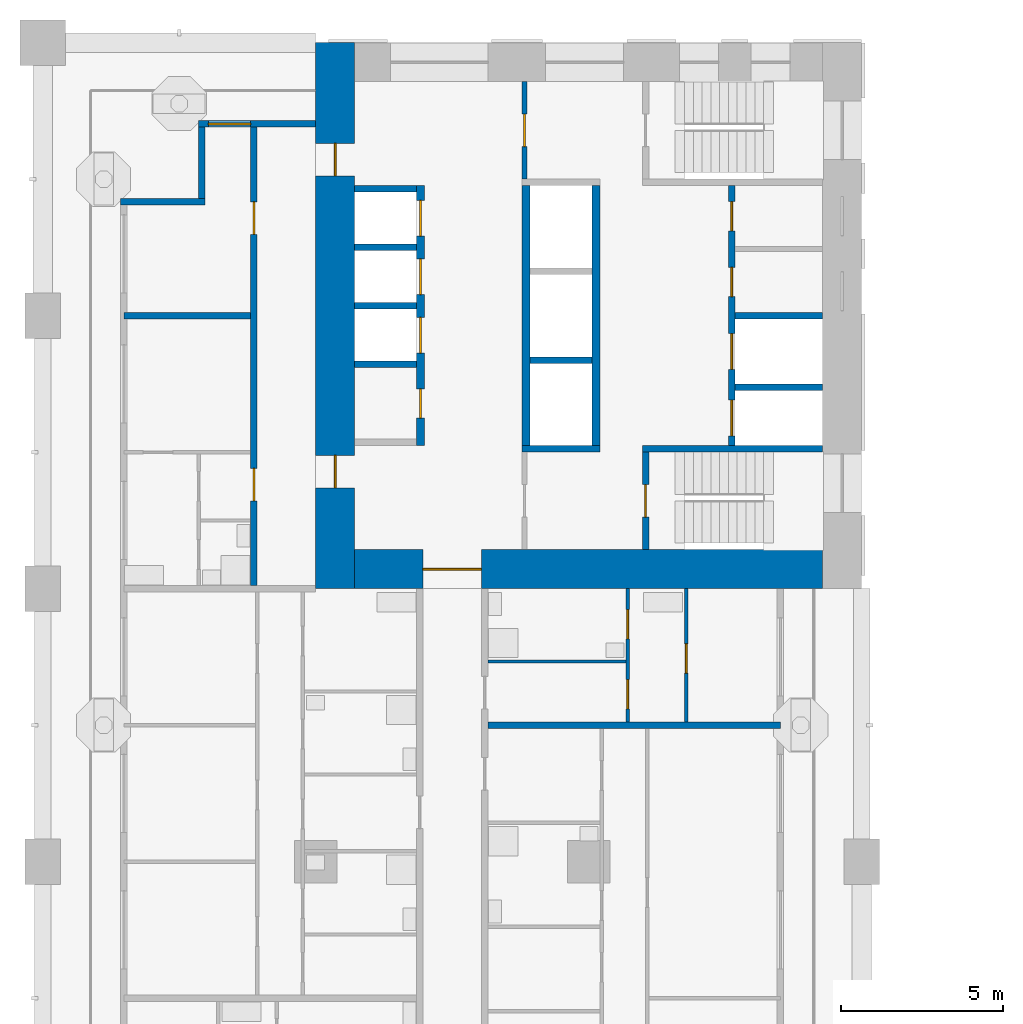
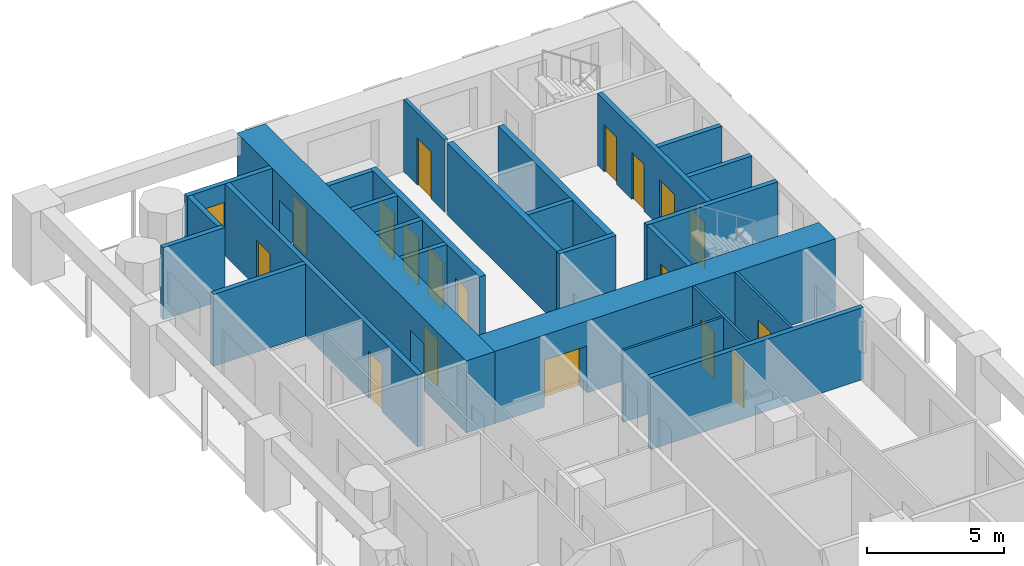
# One storey, part 9 of 21: 26 walls, 18 doors, 1 window, 19 openings.
"""IFC4 building model written with IfcOpenShell, lengths in metres."""

from ifc_helpers import new_model, si_unit, direction, frame, frame_2d, origin, place, context, subcontext, project, spatial, rectangle, extrude, material, layer, layer_set, type_object, element, fill, save


model = new_model("IFC4")

# Units and contexts
model_context = context("Model", 3, precision=1e-05, world=origin(), true_north=direction((0.0, 1.0)))
body_context = subcontext(model_context, "Body", "Model", "MODEL_VIEW")
ifc_project = project(units=[si_unit("LENGTHUNIT", "METRE"), si_unit("AREAUNIT", "SQUARE_METRE"), si_unit("VOLUMEUNIT", "CUBIC_METRE"), si_unit("PLANEANGLEUNIT", "RADIAN"), si_unit("MASSUNIT", "GRAM", prefix="KILO")], contexts=[model_context])

# Site, building, storey
site_placement = place(None, origin())
site = spatial("IfcSite", under=ifc_project, at=site_placement, CompositionType="ELEMENT")
building_placement = place(site_placement, origin())
building = spatial("IfcBuilding", under=site, at=building_placement, Name="Vermilion Gate Residences", CompositionType="ELEMENT")
storey_placement = place(building_placement, frame((0.0, 0.0, 67.199951171875)))
storey = spatial("IfcBuildingStorey", under=building, at=storey_placement, Name="L16", CompositionType="ELEMENT", Elevation=67.199951171875)

# Wall, opening, door
ifc_material_1 = material(Name="Masonry blockwork", Category="masonry")
ifc_layer_1 = layer(ifc_material_1, 0.14990234375)
ifc_layer_set_1 = layer_set([ifc_layer_1], Name="BLOCKWORK PARTITION 150 EI 120")
wall_type_1 = type_object("IfcWallType", Name="BLOCKWORK PARTITION 150 EI 120", PredefinedType="PARTITIONING", material=ifc_layer_set_1)
wall_1_placement = place(storey_placement, frame((14.824951171875, 57.60009765625, 0.0), z_axis=(0.0, 0.0, 1.0), x_axis=(0.0, -1.0, 0.0)))
wall_1 = element("IfcWall", 1, at=wall_1_placement, inside=storey, type_object=wall_type_1, Name="Core room partition B16-VW-S", PredefinedType="PARTITIONING", context=body_context, shape_type="SweptSolid", body=[
    extrude(rectangle(XDim=3.0, YDim=0.14990234375, at=frame_2d((1.5, 0.0))), origin(), (0.0, 0.0, 1.0), 3.219970703125),
])
opening_1_placement = place(wall_1_placement, frame((1.0, 0.0, 0.0)))
opening_1 = element("IfcOpeningElement", 2, at=opening_1_placement, cuts=wall_1, Name="Opening DK16112", PredefinedType="OPENING", context=body_context, shape_type="SweptSolid", body=[
    extrude(rectangle(XDim=1.0, YDim=2.10009765625, at=frame_2d((0.5, 1.050048828125))), frame((0.0, 0.0849609375, 0.0), z_axis=(0.0, -1.0, 0.0), x_axis=(1.0, 0.0, 0.0)), (0.0, 0.0, 1.0), 0.169921875),
])
ifc_material_2 = material(Name="Steel", Category="steel")
door_type_1 = type_object("IfcDoorType", Name="FIRE DOOR FD60 1000 X 2100", OperationType="SINGLE_SWING_LEFT", PredefinedType="DOOR", material=ifc_material_2)
door_1_placement = place(opening_1_placement, frame((1.0, 0.0, 0.0), z_axis=(0.0, 0.0, 1.0), x_axis=(-1.0, 0.0, 0.0)))
door_1 = element("IfcDoor", 3, at=door_1_placement, inside=storey, type_object=door_type_1, Name="Stair vestibule door B16", OperationType="SINGLE_SWING_RIGHT", OverallHeight=2.10009765625, OverallWidth=1.0, PredefinedType="DOOR", context=body_context, shape_type="SweptSolid", body=[
    extrude(rectangle(XDim=1.0, YDim=2.10009765625, at=frame_2d((0.5, 1.050048828125))), frame((0.0, 0.02490234375, 0.0), z_axis=(0.0, -1.0, 0.0), x_axis=(1.0, 0.0, 0.0)), (0.0, 0.0, 1.0), 0.050048828125),
])
fill(opening_1, door_1)

# Wall, opening, window
ifc_material_3 = material(Name="Insulated steel stud wall with terracotta rainscreen", Category="masonry")
ifc_layer_2 = layer(ifc_material_3, 0.199951171875)
ifc_layer_set_2 = layer_set([ifc_layer_2], Name="EXTERNAL WALL 200 TERRACOTTA RAINSCREEN")
wall_type_2 = type_object("IfcWallType", Name="EXTERNAL WALL 200 TERRACOTTA RAINSCREEN", PredefinedType="SOLIDWALL", material=ifc_layer_set_2)
wall_2_placement = place(storey_placement, frame((8.39990234375, 56.300048828125, 0.0), z_axis=(0.0, 0.0, 1.0), x_axis=(-1.0, 0.0, 0.0)))
wall_2 = element("IfcWall", 4, at=wall_2_placement, inside=storey, type_object=wall_type_2, Name="External wall", PredefinedType="SOLIDWALL", context=body_context, shape_type="SweptSolid", body=[
    extrude(rectangle(XDim=3.599853515625, YDim=0.199951171875, at=frame_2d((1.7998046875, 0.0))), origin(), (0.0, 0.0, 1.0), 3.219970703125),
])
opening_2_placement = place(wall_2_placement, frame((2.0, 0.0, 0.89990234375)))
opening_2 = element("IfcOpeningElement", 5, at=opening_2_placement, cuts=wall_2, Name="Opening WE16001", PredefinedType="OPENING", context=body_context, shape_type="SweptSolid", body=[
    extrude(rectangle(XDim=1.300048828125, YDim=1.5, at=frame_2d((0.64990234375, 0.75))), frame((0.0, 0.10986328125, 0.0), z_axis=(0.0, -1.0, 0.0), x_axis=(1.0, 0.0, 0.0)), (0.0, 0.0, 1.0), 0.219970703125),
])
ifc_material_4 = material(Name="Aluminium and clear glass", Category="aluminium")
window_type = type_object("IfcWindowType", Name="WINDOW 1300 X 1500", PartitioningType="SINGLE_PANEL", PredefinedType="WINDOW", material=ifc_material_4)
window_placement = place(opening_2_placement, origin())
window = element("IfcWindow", 6, at=window_placement, inside=storey, type_object=window_type, Name="Window", OverallHeight=1.5, OverallWidth=1.300048828125, PartitioningType="SINGLE_PANEL", PredefinedType="WINDOW", context=body_context, shape_type="SweptSolid", body=[
    extrude(rectangle(XDim=1.300048828125, YDim=1.5, at=frame_2d((0.64990234375, 0.75))), frame((0.0, 0.030029296875, 0.0), z_axis=(0.0, -1.0, 0.0), x_axis=(1.0, 0.0, 0.0)), (0.0, 0.0, 1.0), 0.06005859375),
])
fill(opening_2, window)

# Walls
wall_3_placement = place(storey_placement, frame((4.89990234375, 56.199951171875, 0.0), z_axis=(0.0, 0.0, 1.0), x_axis=(0.0, -1.0, 0.0)))
element("IfcWall", 7, at=wall_3_placement, inside=storey, type_object=wall_type_2, Name="External wall", PredefinedType="SOLIDWALL", context=body_context, shape_type="SweptSolid", body=[
    extrude(rectangle(XDim=2.199951171875, YDim=0.199951171875, at=frame_2d((1.10009765625, 0.0))), origin(), (0.0, 0.0, 1.0), 3.219970703125),
])
wall_4_placement = place(storey_placement, frame((5.0, 53.89990234375, 0.0), z_axis=(0.0, 0.0, 1.0), x_axis=(-1.0, 0.0, 0.0)))
element("IfcWall", 8, at=wall_4_placement, inside=storey, type_object=wall_type_2, Name="External wall", PredefinedType="SOLIDWALL", context=body_context, shape_type="SweptSolid", body=[
    extrude(rectangle(XDim=2.60009765625, YDim=0.199951171875, at=frame_2d((1.300048828125, 0.0))), origin(), (0.0, 0.0, 1.0), 3.219970703125),
])
ifc_material_5 = material(Name="Plasterboard on steel studs", Category="steel")
ifc_layer_3 = layer(ifc_material_5, 0.10009765625)
ifc_layer_set_3 = layer_set([ifc_layer_3], Name="PARTITION 100")
wall_type_3 = type_object("IfcWallType", Name="PARTITION 100", PredefinedType="PARTITIONING", material=ifc_layer_set_3)
wall_5_placement = place(storey_placement, frame((13.699951171875, 39.760009765625, 0.0), z_axis=(0.0, 0.0, 1.0), x_axis=(1.0, 0.0, 0.0)))
element("IfcWall", 9, at=wall_5_placement, inside=storey, type_object=wall_type_3, Name="Partition", PredefinedType="PARTITIONING", context=body_context, shape_type="SweptSolid", body=[
    extrude(rectangle(XDim=4.25, YDim=0.10009765625, at=frame_2d((2.125, 0.0))), origin(), (0.0, 0.0, 1.0), 3.219970703125),
])

# Wall, openings, doors
wall_6_placement = place(storey_placement, frame((18.0, 37.89990234375, 0.0), z_axis=(0.0, 0.0, 1.0), x_axis=(0.0, 1.0, 0.0)))
wall_6 = element("IfcWall", 10, at=wall_6_placement, inside=storey, type_object=wall_type_3, Name="Partition", PredefinedType="PARTITIONING", context=body_context, shape_type="SweptSolid", body=[
    extrude(rectangle(XDim=4.10009765625, YDim=0.10009765625, at=frame_2d((2.050048828125, 0.0))), origin(), (0.0, 0.0, 1.0), 3.219970703125),
])
opening_3_placement = place(wall_6_placement, frame((0.39990234375, 0.0, 0.0)))
opening_3 = element("IfcOpeningElement", 11, at=opening_3_placement, cuts=wall_6, Name="Opening DA16076", PredefinedType="OPENING", context=body_context, shape_type="SweptSolid", body=[
    extrude(rectangle(XDim=0.89990234375, YDim=2.10009765625, at=frame_2d((0.449951171875, 1.050048828125))), frame((0.0, 0.06005859375, 0.0), z_axis=(0.0, -1.0, 0.0), x_axis=(1.0, 0.0, 0.0)), (0.0, 0.0, 1.0), 0.1201171875),
])
opening_4_placement = place(wall_6_placement, frame((2.56005859375, 0.0, 0.0)))
opening_4 = element("IfcOpeningElement", 12, at=opening_4_placement, cuts=wall_6, Name="Opening DA16077", PredefinedType="OPENING", context=body_context, shape_type="SweptSolid", body=[
    extrude(rectangle(XDim=0.89990234375, YDim=2.10009765625, at=frame_2d((0.449951171875, 1.050048828125))), frame((0.0, 0.06005859375, 0.0), z_axis=(0.0, -1.0, 0.0), x_axis=(1.0, 0.0, 0.0)), (0.0, 0.0, 1.0), 0.1201171875),
])
ifc_material_6 = material(Name="Timber", Category="wood")
door_type_2 = type_object("IfcDoorType", Name="INTERIOR DOOR 900 X 2100", OperationType="SINGLE_SWING_LEFT", PredefinedType="DOOR", material=ifc_material_6)
door_2_placement = place(opening_3_placement, frame((0.89990234375, 0.0, 0.0), z_axis=(0.0, 0.0, 1.0), x_axis=(-1.0, 0.0, 0.0)))
door_2 = element("IfcDoor", 13, at=door_2_placement, inside=storey, type_object=door_type_2, Name="Interior door", OperationType="SINGLE_SWING_RIGHT", OverallHeight=2.10009765625, OverallWidth=0.89990234375, PredefinedType="DOOR", context=body_context, shape_type="SweptSolid", body=[
    extrude(rectangle(XDim=0.89990234375, YDim=2.10009765625, at=frame_2d((0.449951171875, 1.050048828125))), frame((0.0, 0.02490234375, 0.0), z_axis=(0.0, -1.0, 0.0), x_axis=(1.0, 0.0, 0.0)), (0.0, 0.0, 1.0), 0.050048828125),
])
fill(opening_3, door_2)
door_3_placement = place(opening_4_placement, frame((0.89990234375, 0.0, 0.0), z_axis=(0.0, 0.0, 1.0), x_axis=(-1.0, 0.0, 0.0)))
door_3 = element("IfcDoor", 14, at=door_3_placement, inside=storey, type_object=door_type_2, Name="Interior door", OperationType="SINGLE_SWING_RIGHT", OverallHeight=2.10009765625, OverallWidth=0.89990234375, PredefinedType="DOOR", context=body_context, shape_type="SweptSolid", body=[
    extrude(rectangle(XDim=0.89990234375, YDim=2.10009765625, at=frame_2d((0.449951171875, 1.050048828125))), frame((0.0, 0.02490234375, 0.0), z_axis=(0.0, -1.0, 0.0), x_axis=(1.0, 0.0, 0.0)), (0.0, 0.0, 1.0), 0.050048828125),
])
fill(opening_4, door_3)

# Wall, opening, door
wall_7_placement = place(storey_placement, frame((19.800048828125, 37.89990234375, 0.0), z_axis=(0.0, 0.0, 1.0), x_axis=(0.0, 1.0, 0.0)))
wall_7 = element("IfcWall", 15, at=wall_7_placement, inside=storey, type_object=wall_type_3, Name="Partition", PredefinedType="PARTITIONING", context=body_context, shape_type="SweptSolid", body=[
    extrude(rectangle(XDim=4.10009765625, YDim=0.10009765625, at=frame_2d((2.050048828125, 0.0))), origin(), (0.0, 0.0, 1.0), 3.219970703125),
])
opening_5_placement = place(wall_7_placement, frame((1.5, 0.0, 0.0)))
opening_5 = element("IfcOpeningElement", 16, at=opening_5_placement, cuts=wall_7, Name="Opening DA16080", PredefinedType="OPENING", context=body_context, shape_type="SweptSolid", body=[
    extrude(rectangle(XDim=0.89990234375, YDim=2.10009765625, at=frame_2d((0.449951171875, 1.050048828125))), frame((0.0, 0.06005859375, 0.0), z_axis=(0.0, -1.0, 0.0), x_axis=(1.0, 0.0, 0.0)), (0.0, 0.0, 1.0), 0.1201171875),
])
door_4_placement = place(opening_5_placement, origin())
door_4 = element("IfcDoor", 17, at=door_4_placement, inside=storey, type_object=door_type_2, Name="Interior door", OperationType="SINGLE_SWING_RIGHT", OverallHeight=2.10009765625, OverallWidth=0.89990234375, PredefinedType="DOOR", context=body_context, shape_type="SweptSolid", body=[
    extrude(rectangle(XDim=0.89990234375, YDim=2.10009765625, at=frame_2d((0.449951171875, 1.050048828125))), frame((0.0, 0.02490234375, 0.0), z_axis=(0.0, -1.0, 0.0), x_axis=(1.0, 0.0, 0.0)), (0.0, 0.0, 1.0), 0.050048828125),
])
fill(opening_5, door_4)

# Walls
ifc_material_7 = material(Name="Fire-rated plasterboard on steel studs", Category="steel")
ifc_layer_4 = layer(ifc_material_7, 0.199951171875)
ifc_layer_set_4 = layer_set([ifc_layer_4], Name="PARTY WALL 200 EI 120")
wall_type_4 = type_object("IfcWallType", Name="PARTY WALL 200 EI 120", PredefinedType="PARTITIONING", material=ifc_layer_set_4)
wall_8_placement = place(storey_placement, frame((13.699951171875, 37.800048828125, 0.0), z_axis=(0.0, 0.0, 1.0), x_axis=(1.0, 0.0, 0.0)))
element("IfcWall", 18, at=wall_8_placement, inside=storey, type_object=wall_type_4, Name="Party and corridor wall", PredefinedType="PARTITIONING", context=body_context, shape_type="SweptSolid", body=[
    extrude(rectangle(XDim=9.0, YDim=0.199951171875, at=frame_2d((4.5, 0.0))), origin(), (0.0, 0.0, 1.0), 3.219970703125),
])
wall_9_placement = place(storey_placement, frame((2.5, 50.39990234375, 0.0), z_axis=(0.0, 0.0, 1.0), x_axis=(1.0, 0.0, 0.0)))
element("IfcWall", 19, at=wall_9_placement, inside=storey, type_object=wall_type_4, Name="Party and corridor wall", PredefinedType="PARTITIONING", context=body_context, shape_type="SweptSolid", body=[
    extrude(rectangle(XDim=3.89990234375, YDim=0.199951171875, at=frame_2d((1.949951171875, 0.0))), origin(), (0.0, 0.0, 1.0), 3.219970703125),
])

# Wall, openings, doors
wall_10_placement = place(storey_placement, frame((6.5, 42.10009765625, 0.0), z_axis=(0.0, 0.0, 1.0), x_axis=(0.0, 1.0, 0.0)))
wall_10 = element("IfcWall", 20, at=wall_10_placement, inside=storey, type_object=wall_type_4, Name="Party and corridor wall", PredefinedType="PARTITIONING", context=body_context, shape_type="SweptSolid", body=[
    extrude(rectangle(XDim=14.199951171875, YDim=0.199951171875, at=frame_2d((7.10009765625, 0.0))), origin(), (0.0, 0.0, 1.0), 3.219970703125),
])
opening_6_placement = place(wall_10_placement, frame((2.60009765625, 0.0, 0.0)))
opening_6 = element("IfcOpeningElement", 21, at=opening_6_placement, cuts=wall_10, Name="Opening DA16046", PredefinedType="OPENING", context=body_context, shape_type="SweptSolid", body=[
    extrude(rectangle(XDim=1.0, YDim=2.10009765625, at=frame_2d((0.5, 1.050048828125))), frame((0.0, 0.10986328125, 0.0), z_axis=(0.0, -1.0, 0.0), x_axis=(1.0, 0.0, 0.0)), (0.0, 0.0, 1.0), 0.219970703125),
])
opening_7_placement = place(wall_10_placement, frame((10.800048828125, 0.0, 0.0)))
opening_7 = element("IfcOpeningElement", 22, at=opening_7_placement, cuts=wall_10, Name="Opening DA16047", PredefinedType="OPENING", context=body_context, shape_type="SweptSolid", body=[
    extrude(rectangle(XDim=1.0, YDim=2.10009765625, at=frame_2d((0.5, 1.050048828125))), frame((0.0, 0.10986328125, 0.0), z_axis=(0.0, -1.0, 0.0), x_axis=(1.0, 0.0, 0.0)), (0.0, 0.0, 1.0), 0.219970703125),
])
ifc_material_8 = material(Name="Steel", Category="steel")
door_type_3 = type_object("IfcDoorType", Name="ENTRANCE DOOR 1000 X 2100 FD30", OperationType="SINGLE_SWING_LEFT", PredefinedType="DOOR", material=ifc_material_8)
door_5_placement = place(opening_6_placement, origin())
door_5 = element("IfcDoor", 23, at=door_5_placement, inside=storey, type_object=door_type_3, Name="Entrance door", OperationType="SINGLE_SWING_RIGHT", OverallHeight=2.10009765625, OverallWidth=1.0, PredefinedType="DOOR", context=body_context, shape_type="SweptSolid", body=[
    extrude(rectangle(XDim=1.0, YDim=2.10009765625, at=frame_2d((0.5, 1.050048828125))), frame((0.0, 0.02490234375, 0.0), z_axis=(0.0, -1.0, 0.0), x_axis=(1.0, 0.0, 0.0)), (0.0, 0.0, 1.0), 0.050048828125),
])
fill(opening_6, door_5)
door_6_placement = place(opening_7_placement, origin())
door_6 = element("IfcDoor", 24, at=door_6_placement, inside=storey, type_object=door_type_3, Name="Entrance door", OperationType="SINGLE_SWING_RIGHT", OverallHeight=2.10009765625, OverallWidth=1.0, PredefinedType="DOOR", context=body_context, shape_type="SweptSolid", body=[
    extrude(rectangle(XDim=1.0, YDim=2.10009765625, at=frame_2d((0.5, 1.050048828125))), frame((0.0, 0.02490234375, 0.0), z_axis=(0.0, -1.0, 0.0), x_axis=(1.0, 0.0, 0.0)), (0.0, 0.0, 1.0), 0.050048828125),
])
fill(opening_7, door_6)

# Walls
ifc_material_9 = material(Name="Concrete C60", Category="concrete")
ifc_layer_5 = layer(ifc_material_9, 0.199951171875)
ifc_layer_set_5 = layer_set([ifc_layer_5], Name="RC CORE INTERNAL WALL 200 C60")
wall_type_5 = type_object("IfcWallType", Name="RC CORE INTERNAL WALL 200 C60", PredefinedType="SHEAR", material=ifc_layer_set_5)
for number, where, z_axis, x_axis, name in (
    (25, (9.60009765625, 54.300048828125, 0.0), (0.0, 0.0, 1.0), (1.0, 0.0, 0.0), "Core internal wall B16-LR-D0"),
    (26, (9.60009765625, 52.5, 0.0), (0.0, 0.0, 1.0), (1.0, 0.0, 0.0), "Core internal wall B16-LR-D1"),
    (27, (9.60009765625, 50.699951171875, 0.0), (0.0, 0.0, 1.0), (1.0, 0.0, 0.0), "Core internal wall B16-LR-D2"),
    (28, (9.60009765625, 48.89990234375, 0.0), (0.0, 0.0, 1.0), (1.0, 0.0, 0.0), "Core internal wall B16-LR-D3"),
    (29, (15.0, 49.033447265625, 0.0), (0.0, 0.0, 1.0), (1.0, 0.0, 0.0), "Core internal wall B16-HR-D2"),
):
    element("IfcWall", number, at=place(storey_placement, frame(where, z_axis=z_axis, x_axis=x_axis)), inside=storey, type_object=wall_type_5, Name=name, PredefinedType="SHEAR", context=body_context, shape_type="SweptSolid", body=[
        extrude(rectangle(XDim=1.89990234375, YDim=0.199951171875, at=frame_2d((0.949951171875, 0.0))), origin(), (0.0, 0.0, 1.0), 3.219970703125),
    ])
for number, where, z_axis, x_axis, name in (
    (30, (21.300048828125, 50.39990234375, 0.0), (0.0, 0.0, 1.0), (1.0, 0.0, 0.0), "Core internal wall B16-FF-D0"),
    (31, (21.300048828125, 48.199951171875, 0.0), (0.0, 0.0, 1.0), (1.0, 0.0, 0.0), "Core internal wall B16-FF-D1"),
):
    element("IfcWall", number, at=place(storey_placement, frame(where, z_axis=z_axis, x_axis=x_axis)), inside=storey, type_object=wall_type_5, Name=name, PredefinedType="SHEAR", context=body_context, shape_type="SweptSolid", body=[
        extrude(rectangle(XDim=2.699951171875, YDim=0.199951171875, at=frame_2d((1.35009765625, 0.0))), origin(), (0.0, 0.0, 1.0), 3.219970703125),
    ])

# Wall, openings, doors
wall_11_placement = place(storey_placement, frame((21.199951171875, 54.39990234375, 0.0), z_axis=(0.0, 0.0, 1.0), x_axis=(0.0, -1.0, 0.0)))
wall_11 = element("IfcWall", 32, at=wall_11_placement, inside=storey, type_object=wall_type_5, Name="Core internal wall B16-FF-F", PredefinedType="SHEAR", context=body_context, shape_type="SweptSolid", body=[
    extrude(rectangle(XDim=8.0, YDim=0.199951171875, at=frame_2d((4.0, 0.0))), origin(), (0.0, 0.0, 1.0), 3.219970703125),
])
opening_8_placement = place(wall_11_placement, frame((0.487548828125, 0.0, 0.0)))
opening_8 = element("IfcOpeningElement", 33, at=opening_8_placement, cuts=wall_11, Name="Opening DK16108", PredefinedType="OPENING", context=body_context, shape_type="SweptSolid", body=[
    extrude(rectangle(XDim=0.89990234375, YDim=2.10009765625, at=frame_2d((0.449951171875, 1.050048828125))), frame((0.0, 0.10986328125, 0.0), z_axis=(0.0, -1.0, 0.0), x_axis=(1.0, 0.0, 0.0)), (0.0, 0.0, 1.0), 0.219970703125),
])
opening_9_placement = place(wall_11_placement, frame((2.512451171875, 0.0, 0.0)))
opening_9 = element("IfcOpeningElement", 34, at=opening_9_placement, cuts=wall_11, Name="Opening DK16109", PredefinedType="OPENING", context=body_context, shape_type="SweptSolid", body=[
    extrude(rectangle(XDim=0.89990234375, YDim=2.10009765625, at=frame_2d((0.449951171875, 1.050048828125))), frame((0.0, 0.10986328125, 0.0), z_axis=(0.0, -1.0, 0.0), x_axis=(1.0, 0.0, 0.0)), (0.0, 0.0, 1.0), 0.219970703125),
])
opening_10_placement = place(wall_11_placement, frame((4.550048828125, 0.0, 0.0)))
opening_10 = element("IfcOpeningElement", 35, at=opening_10_placement, cuts=wall_11, Name="Opening LD", PredefinedType="OPENING", context=body_context, shape_type="SweptSolid", body=[
    extrude(rectangle(XDim=1.10009765625, YDim=2.10009765625, at=frame_2d((0.550048828125, 1.050048828125))), frame((0.0, 0.10986328125, 0.0), z_axis=(0.0, -1.0, 0.0), x_axis=(1.0, 0.0, 0.0)), (0.0, 0.0, 1.0), 0.219970703125),
])
opening_11_placement = place(wall_11_placement, frame((6.60009765625, 0.0, 0.0)))
opening_11 = element("IfcOpeningElement", 36, at=opening_11_placement, cuts=wall_11, Name="Opening LD", PredefinedType="OPENING", context=body_context, shape_type="SweptSolid", body=[
    extrude(rectangle(XDim=1.10009765625, YDim=2.10009765625, at=frame_2d((0.550048828125, 1.050048828125))), frame((0.0, 0.10986328125, 0.0), z_axis=(0.0, -1.0, 0.0), x_axis=(1.0, 0.0, 0.0)), (0.0, 0.0, 1.0), 0.219970703125),
])
ifc_material_10 = material(Name="Stainless steel", Category="steel")
door_type_4 = type_object("IfcDoorType", Name="LIFT LANDING DOOR E60 1100 X 2100", OperationType="DOUBLE_DOOR_SLIDING", PredefinedType="DOOR", material=ifc_material_10)
door_7_placement = place(opening_10_placement, origin())
door_7 = element("IfcDoor", 37, at=door_7_placement, inside=storey, type_object=door_type_4, Name="Lift landing door LFB1", OperationType="DOUBLE_DOOR_SLIDING", OverallHeight=2.10009765625, OverallWidth=1.10009765625, PredefinedType="DOOR", context=body_context, shape_type="SweptSolid", body=[
    extrude(rectangle(XDim=1.10009765625, YDim=2.10009765625, at=frame_2d((0.550048828125, 1.050048828125))), frame((0.0, 0.02490234375, 0.0), z_axis=(0.0, -1.0, 0.0), x_axis=(1.0, 0.0, 0.0)), (0.0, 0.0, 1.0), 0.050048828125),
])
fill(opening_10, door_7)
door_8_placement = place(opening_11_placement, origin())
door_8 = element("IfcDoor", 38, at=door_8_placement, inside=storey, type_object=door_type_4, Name="Lift landing door LCB1", OperationType="DOUBLE_DOOR_SLIDING", OverallHeight=2.10009765625, OverallWidth=1.10009765625, PredefinedType="DOOR", context=body_context, shape_type="SweptSolid", body=[
    extrude(rectangle(XDim=1.10009765625, YDim=2.10009765625, at=frame_2d((0.550048828125, 1.050048828125))), frame((0.0, 0.02490234375, 0.0), z_axis=(0.0, -1.0, 0.0), x_axis=(1.0, 0.0, 0.0)), (0.0, 0.0, 1.0), 0.050048828125),
])
fill(opening_11, door_8)
ifc_material_11 = material(Name="Steel", Category="steel")
door_type_5 = type_object("IfcDoorType", Name="SERVICE ROOM DOOR FD60 900 X 2100", OperationType="SINGLE_SWING_LEFT", PredefinedType="DOOR", material=ifc_material_11)
door_9_placement = place(opening_8_placement, origin())
door_9 = element("IfcDoor", 39, at=door_9_placement, inside=storey, type_object=door_type_5, Name="Electrical riser B16", OperationType="SINGLE_SWING_RIGHT", OverallHeight=2.10009765625, OverallWidth=0.89990234375, PredefinedType="DOOR", context=body_context, shape_type="SweptSolid", body=[
    extrude(rectangle(XDim=0.89990234375, YDim=2.10009765625, at=frame_2d((0.449951171875, 1.050048828125))), frame((0.0, 0.02490234375, 0.0), z_axis=(0.0, -1.0, 0.0), x_axis=(1.0, 0.0, 0.0)), (0.0, 0.0, 1.0), 0.050048828125),
])
fill(opening_8, door_9)
door_10_placement = place(opening_9_placement, origin())
door_10 = element("IfcDoor", 40, at=door_10_placement, inside=storey, type_object=door_type_5, Name="Cleaner's store B16", OperationType="SINGLE_SWING_RIGHT", OverallHeight=2.10009765625, OverallWidth=0.89990234375, PredefinedType="DOOR", context=body_context, shape_type="SweptSolid", body=[
    extrude(rectangle(XDim=0.89990234375, YDim=2.10009765625, at=frame_2d((0.449951171875, 1.050048828125))), frame((0.0, 0.02490234375, 0.0), z_axis=(0.0, -1.0, 0.0), x_axis=(1.0, 0.0, 0.0)), (0.0, 0.0, 1.0), 0.050048828125),
])
fill(opening_9, door_10)

# Walls
wall_12_placement = place(storey_placement, frame((14.75, 46.300048828125, 0.0), z_axis=(0.0, 0.0, 1.0), x_axis=(1.0, 0.0, 0.0)))
element("IfcWall", 41, at=wall_12_placement, inside=storey, type_object=wall_type_5, Name="Core internal wall B16-EDIV1", PredefinedType="SHEAR", context=body_context, shape_type="SweptSolid", body=[
    extrude(rectangle(XDim=2.39990234375, YDim=0.199951171875, at=frame_2d((1.199951171875, 0.0))), origin(), (0.0, 0.0, 1.0), 3.219970703125),
])
wall_13_placement = place(storey_placement, frame((18.449951171875, 46.300048828125, 0.0), z_axis=(0.0, 0.0, 1.0), x_axis=(1.0, 0.0, 0.0)))
element("IfcWall", 42, at=wall_13_placement, inside=storey, type_object=wall_type_5, Name="Core internal wall B16-EDIV2", PredefinedType="SHEAR", context=body_context, shape_type="SweptSolid", body=[
    extrude(rectangle(XDim=5.550048828125, YDim=0.199951171875, at=frame_2d((2.77490234375, 0.0))), origin(), (0.0, 0.0, 1.0), 3.219970703125),
])

# Wall, opening, door
wall_14_placement = place(storey_placement, frame((18.550048828125, 46.199951171875, 0.0), z_axis=(0.0, 0.0, 1.0), x_axis=(0.0, -1.0, 0.0)))
wall_14 = element("IfcWall", 43, at=wall_14_placement, inside=storey, type_object=wall_type_5, Name="Core internal wall B16-STE-S", PredefinedType="SHEAR", context=body_context, shape_type="SweptSolid", body=[
    extrude(rectangle(XDim=3.0, YDim=0.199951171875, at=frame_2d((1.5, 0.0))), origin(), (0.0, 0.0, 1.0), 3.219970703125),
])
opening_12_placement = place(wall_14_placement, frame((1.0, 0.0, 0.0)))
opening_12 = element("IfcOpeningElement", 44, at=opening_12_placement, cuts=wall_14, Name="Opening DK16115", PredefinedType="OPENING", context=body_context, shape_type="SweptSolid", body=[
    extrude(rectangle(XDim=1.0, YDim=2.10009765625, at=frame_2d((0.5, 1.050048828125))), frame((0.0, 0.10986328125, 0.0), z_axis=(0.0, -1.0, 0.0), x_axis=(1.0, 0.0, 0.0)), (0.0, 0.0, 1.0), 0.219970703125),
])
door_11_placement = place(opening_12_placement, origin())
door_11 = element("IfcDoor", 45, at=door_11_placement, inside=storey, type_object=door_type_1, Name="Stair door B16", OperationType="SINGLE_SWING_LEFT", OverallHeight=2.10009765625, OverallWidth=1.0, PredefinedType="DOOR", context=body_context, shape_type="SweptSolid", body=[
    extrude(rectangle(XDim=1.0, YDim=2.10009765625, at=frame_2d((0.5, 1.050048828125))), frame((0.0, 0.02490234375, 0.0), z_axis=(0.0, -1.0, 0.0), x_axis=(1.0, 0.0, 0.0)), (0.0, 0.0, 1.0), 0.050048828125),
])
fill(opening_12, door_11)

# Wall, openings, doors
ifc_material_12 = material(Name="Concrete C80", Category="concrete")
ifc_layer_6 = layer(ifc_material_12, 1.199951171875)
ifc_layer_set_6 = layer_set([ifc_layer_6], Name="RC CORE WALL 1200 C80")
wall_type_6 = type_object("IfcWallType", Name="RC CORE WALL 1200 C80", PredefinedType="SHEAR", material=ifc_layer_set_6)
wall_15_placement = place(storey_placement, frame((9.0, 58.800048828125, 0.0), z_axis=(0.0, 0.0, 1.0), x_axis=(0.0, -1.0, 0.0)))
wall_15 = element("IfcWall", 46, at=wall_15_placement, inside=storey, type_object=wall_type_6, Name="Core wall B16-OUT-B0", PredefinedType="SHEAR", context=body_context, shape_type="SweptSolid", body=[
    extrude(rectangle(XDim=16.800048828125, YDim=1.199951171875, at=frame_2d((8.39990234375, 0.0))), origin(), (0.0, 0.0, 1.0), 3.219970703125),
])
opening_13_placement = place(wall_15_placement, frame((3.10009765625, 0.0, 0.0)))
opening_13 = element("IfcOpeningElement", 47, at=opening_13_placement, cuts=wall_15, Name="Opening DK16101", PredefinedType="OPENING", context=body_context, shape_type="SweptSolid", body=[
    extrude(rectangle(XDim=1.0, YDim=2.10009765625, at=frame_2d((0.5, 1.050048828125))), frame((0.0, 0.60986328125, 0.0), z_axis=(0.0, -1.0, 0.0), x_axis=(1.0, 0.0, 0.0)), (0.0, 0.0, 1.0), 1.219970703125),
])
opening_14_placement = place(wall_15_placement, frame((12.699951171875, 0.0, 0.0)))
opening_14 = element("IfcOpeningElement", 48, at=opening_14_placement, cuts=wall_15, Name="Opening DK16102", PredefinedType="OPENING", context=body_context, shape_type="SweptSolid", body=[
    extrude(rectangle(XDim=1.0, YDim=2.10009765625, at=frame_2d((0.5, 1.050048828125))), frame((0.0, 0.60986328125, 0.0), z_axis=(0.0, -1.0, 0.0), x_axis=(1.0, 0.0, 0.0)), (0.0, 0.0, 1.0), 1.219970703125),
])
door_12_placement = place(opening_13_placement, origin())
door_12 = element("IfcDoor", 49, at=door_12_placement, inside=storey, type_object=door_type_1, Name="Core lobby side door B16", OperationType="SINGLE_SWING_RIGHT", OverallHeight=2.10009765625, OverallWidth=1.0, PredefinedType="DOOR", context=body_context, shape_type="SweptSolid", body=[
    extrude(rectangle(XDim=1.0, YDim=2.10009765625, at=frame_2d((0.5, 1.050048828125))), frame((0.0, 0.02490234375, 0.0), z_axis=(0.0, -1.0, 0.0), x_axis=(1.0, 0.0, 0.0)), (0.0, 0.0, 1.0), 0.050048828125),
])
fill(opening_13, door_12)
door_13_placement = place(opening_14_placement, origin())
door_13 = element("IfcDoor", 50, at=door_13_placement, inside=storey, type_object=door_type_1, Name="Core lobby side door B16", OperationType="SINGLE_SWING_LEFT", OverallHeight=2.10009765625, OverallWidth=1.0, PredefinedType="DOOR", context=body_context, shape_type="SweptSolid", body=[
    extrude(rectangle(XDim=1.0, YDim=2.10009765625, at=frame_2d((0.5, 1.050048828125))), frame((0.0, 0.02490234375, 0.0), z_axis=(0.0, -1.0, 0.0), x_axis=(1.0, 0.0, 0.0)), (0.0, 0.0, 1.0), 0.050048828125),
])
fill(opening_14, door_13)

# Wall, opening, door
wall_16_placement = place(storey_placement, frame((9.60009765625, 42.60009765625, 0.0), z_axis=(0.0, 0.0, 1.0), x_axis=(1.0, 0.0, 0.0)))
wall_16 = element("IfcWall", 51, at=wall_16_placement, inside=storey, type_object=wall_type_6, Name="Core wall B16-OUT-BK", PredefinedType="SHEAR", context=body_context, shape_type="SweptSolid", body=[
    extrude(rectangle(XDim=14.39990234375, YDim=1.199951171875, at=frame_2d((7.199951171875, 0.0))), origin(), (0.0, 0.0, 1.0), 3.219970703125),
])
opening_15_placement = place(wall_16_placement, frame((2.10009765625, 0.0, 0.0)))
opening_15 = element("IfcOpeningElement", 52, at=opening_15_placement, cuts=wall_16, Name="Opening DK16103", PredefinedType="OPENING", context=body_context, shape_type="SweptSolid", body=[
    extrude(rectangle(XDim=1.800048828125, YDim=2.10009765625, at=frame_2d((0.89990234375, 1.050048828125))), frame((0.0, 0.60986328125, 0.0), z_axis=(0.0, -1.0, 0.0), x_axis=(1.0, 0.0, 0.0)), (0.0, 0.0, 1.0), 1.219970703125),
])
ifc_material_13 = material(Name="Steel", Category="steel")
door_type_6 = type_object("IfcDoorType", Name="CORE LOBBY DOOR FD60 1800 X 2100", OperationType="DOUBLE_DOOR_SINGLE_SWING", PredefinedType="DOOR", material=ifc_material_13)
door_14_placement = place(opening_15_placement, origin())
door_14 = element("IfcDoor", 53, at=door_14_placement, inside=storey, type_object=door_type_6, Name="Core lobby door B16", OperationType="DOUBLE_DOOR_SINGLE_SWING", OverallHeight=2.10009765625, OverallWidth=1.800048828125, PredefinedType="DOOR", context=body_context, shape_type="SweptSolid", body=[
    extrude(rectangle(XDim=1.800048828125, YDim=2.10009765625, at=frame_2d((0.89990234375, 1.050048828125))), frame((0.0, 0.02490234375, 0.0), z_axis=(0.0, -1.0, 0.0), x_axis=(1.0, 0.0, 0.0)), (0.0, 0.0, 1.0), 0.050048828125),
])
fill(opening_15, door_14)

# Wall, openings, doors
ifc_material_14 = material(Name="Concrete C60", Category="concrete")
ifc_layer_7 = layer(ifc_material_14, 0.25)
ifc_layer_set_7 = layer_set([ifc_layer_7], Name="RC LIFT SHAFT WALL 250 C60")
wall_type_7 = type_object("IfcWallType", Name="RC LIFT SHAFT WALL 250 C60", PredefinedType="SHEAR", material=ifc_layer_set_7)
wall_17_placement = place(storey_placement, frame((11.625, 54.39990234375, 0.0), z_axis=(0.0, 0.0, 1.0), x_axis=(0.0, -1.0, 0.0)))
wall_17 = element("IfcWall", 54, at=wall_17_placement, inside=storey, type_object=wall_type_7, Name="Lift shaft wall B16-LR-F", PredefinedType="SHEAR", context=body_context, shape_type="SweptSolid", body=[
    extrude(rectangle(XDim=8.0, YDim=0.25, at=frame_2d((4.0, 0.0))), origin(), (0.0, 0.0, 1.0), 3.219970703125),
])
opening_16_placement = place(wall_17_placement, frame((0.449951171875, 0.0, 0.0)))
opening_16 = element("IfcOpeningElement", 55, at=opening_16_placement, cuts=wall_17, Name="Opening LD", PredefinedType="OPENING", context=body_context, shape_type="SweptSolid", body=[
    extrude(rectangle(XDim=1.10009765625, YDim=2.10009765625, at=frame_2d((0.550048828125, 1.050048828125))), frame((0.0, 0.135009765625, 0.0), z_axis=(0.0, -1.0, 0.0), x_axis=(1.0, 0.0, 0.0)), (0.0, 0.0, 1.0), 0.27001953125),
])
opening_17_placement = place(wall_17_placement, frame((2.25, 0.0, 0.0)))
opening_17 = element("IfcOpeningElement", 56, at=opening_17_placement, cuts=wall_17, Name="Opening LD", PredefinedType="OPENING", context=body_context, shape_type="SweptSolid", body=[
    extrude(rectangle(XDim=1.10009765625, YDim=2.10009765625, at=frame_2d((0.550048828125, 1.050048828125))), frame((0.0, 0.135009765625, 0.0), z_axis=(0.0, -1.0, 0.0), x_axis=(1.0, 0.0, 0.0)), (0.0, 0.0, 1.0), 0.27001953125),
])
opening_18_placement = place(wall_17_placement, frame((4.050048828125, 0.0, 0.0)))
opening_18 = element("IfcOpeningElement", 57, at=opening_18_placement, cuts=wall_17, Name="Opening LD", PredefinedType="OPENING", context=body_context, shape_type="SweptSolid", body=[
    extrude(rectangle(XDim=1.10009765625, YDim=2.10009765625, at=frame_2d((0.550048828125, 1.050048828125))), frame((0.0, 0.135009765625, 0.0), z_axis=(0.0, -1.0, 0.0), x_axis=(1.0, 0.0, 0.0)), (0.0, 0.0, 1.0), 0.27001953125),
])
opening_19_placement = place(wall_17_placement, frame((6.25, 0.0, 0.0)))
opening_19 = element("IfcOpeningElement", 58, at=opening_19_placement, cuts=wall_17, Name="Opening DK16107", PredefinedType="OPENING", context=body_context, shape_type="SweptSolid", body=[
    extrude(rectangle(XDim=0.89990234375, YDim=2.10009765625, at=frame_2d((0.449951171875, 1.050048828125))), frame((0.0, 0.135009765625, 0.0), z_axis=(0.0, -1.0, 0.0), x_axis=(1.0, 0.0, 0.0)), (0.0, 0.0, 1.0), 0.27001953125),
])
door_15_placement = place(opening_16_placement, origin())
door_15 = element("IfcDoor", 59, at=door_15_placement, inside=storey, type_object=door_type_4, Name="Lift landing door LRB1", OperationType="DOUBLE_DOOR_SLIDING", OverallHeight=2.10009765625, OverallWidth=1.10009765625, PredefinedType="DOOR", context=body_context, shape_type="SweptSolid", body=[
    extrude(rectangle(XDim=1.10009765625, YDim=2.10009765625, at=frame_2d((0.550048828125, 1.050048828125))), frame((0.0, 0.02490234375, 0.0), z_axis=(0.0, -1.0, 0.0), x_axis=(1.0, 0.0, 0.0)), (0.0, 0.0, 1.0), 0.050048828125),
])
fill(opening_16, door_15)
door_16_placement = place(opening_17_placement, origin())
door_16 = element("IfcDoor", 60, at=door_16_placement, inside=storey, type_object=door_type_4, Name="Lift landing door LRB2", OperationType="DOUBLE_DOOR_SLIDING", OverallHeight=2.10009765625, OverallWidth=1.10009765625, PredefinedType="DOOR", context=body_context, shape_type="SweptSolid", body=[
    extrude(rectangle(XDim=1.10009765625, YDim=2.10009765625, at=frame_2d((0.550048828125, 1.050048828125))), frame((0.0, 0.02490234375, 0.0), z_axis=(0.0, -1.0, 0.0), x_axis=(1.0, 0.0, 0.0)), (0.0, 0.0, 1.0), 0.050048828125),
])
fill(opening_17, door_16)
door_17_placement = place(opening_18_placement, origin())
door_17 = element("IfcDoor", 61, at=door_17_placement, inside=storey, type_object=door_type_4, Name="Lift landing door LRB3", OperationType="DOUBLE_DOOR_SLIDING", OverallHeight=2.10009765625, OverallWidth=1.10009765625, PredefinedType="DOOR", context=body_context, shape_type="SweptSolid", body=[
    extrude(rectangle(XDim=1.10009765625, YDim=2.10009765625, at=frame_2d((0.550048828125, 1.050048828125))), frame((0.0, 0.02490234375, 0.0), z_axis=(0.0, -1.0, 0.0), x_axis=(1.0, 0.0, 0.0)), (0.0, 0.0, 1.0), 0.050048828125),
])
fill(opening_18, door_17)
door_18_placement = place(opening_19_placement, frame((0.89990234375, 0.0, 0.0), z_axis=(0.0, 0.0, 1.0), x_axis=(-1.0, 0.0, 0.0)))
door_18 = element("IfcDoor", 62, at=door_18_placement, inside=storey, type_object=door_type_5, Name="Parcel room B16", OperationType="SINGLE_SWING_RIGHT", OverallHeight=2.10009765625, OverallWidth=0.89990234375, PredefinedType="DOOR", context=body_context, shape_type="SweptSolid", body=[
    extrude(rectangle(XDim=0.89990234375, YDim=2.10009765625, at=frame_2d((0.449951171875, 1.050048828125))), frame((0.0, 0.02490234375, 0.0), z_axis=(0.0, -1.0, 0.0), x_axis=(1.0, 0.0, 0.0)), (0.0, 0.0, 1.0), 0.050048828125),
])
fill(opening_19, door_18)

# Walls
for number, where, z_axis, x_axis, name in (
    (63, (14.875, 54.39990234375, 0.0), (0.0, 0.0, 1.0), (0.0, -1.0, 0.0), "Lift shaft wall B16-HR-F"),
    (64, (17.02490234375, 54.39990234375, 0.0), (0.0, 0.0, 1.0), (0.0, -1.0, 0.0), "Lift shaft wall B16-HR-B"),
):
    element("IfcWall", number, at=place(storey_placement, frame(where, z_axis=z_axis, x_axis=x_axis)), inside=storey, type_object=wall_type_7, Name=name, PredefinedType="SHEAR", context=body_context, shape_type="SweptSolid", body=[
        extrude(rectangle(XDim=8.0, YDim=0.25, at=frame_2d((4.0, 0.0))), origin(), (0.0, 0.0, 1.0), 3.219970703125),
    ])

save(model, "model.ifc")
